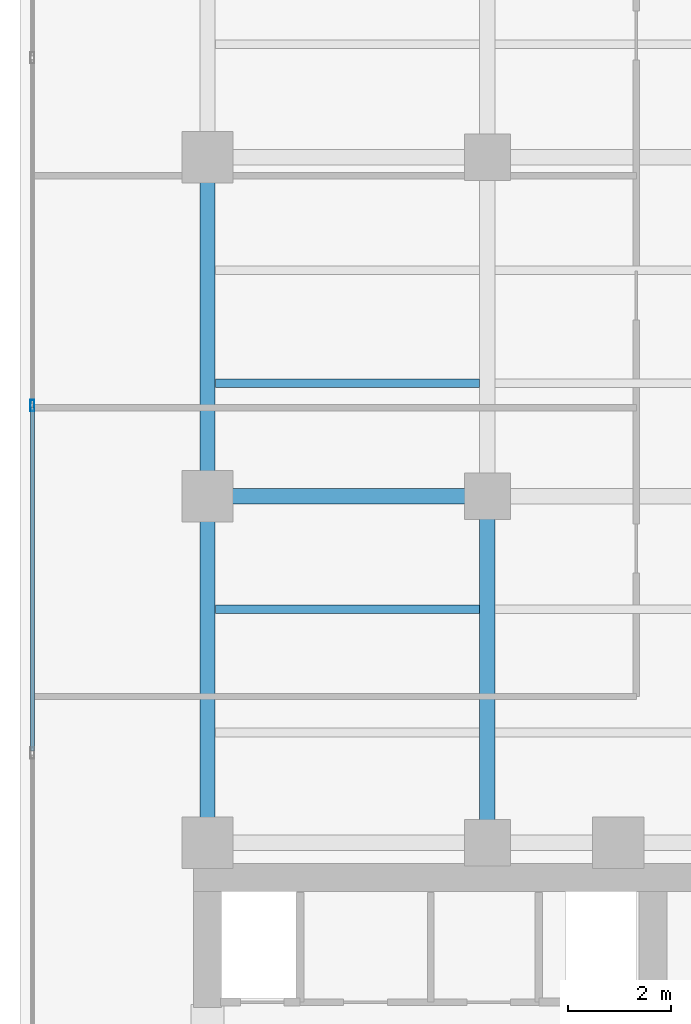
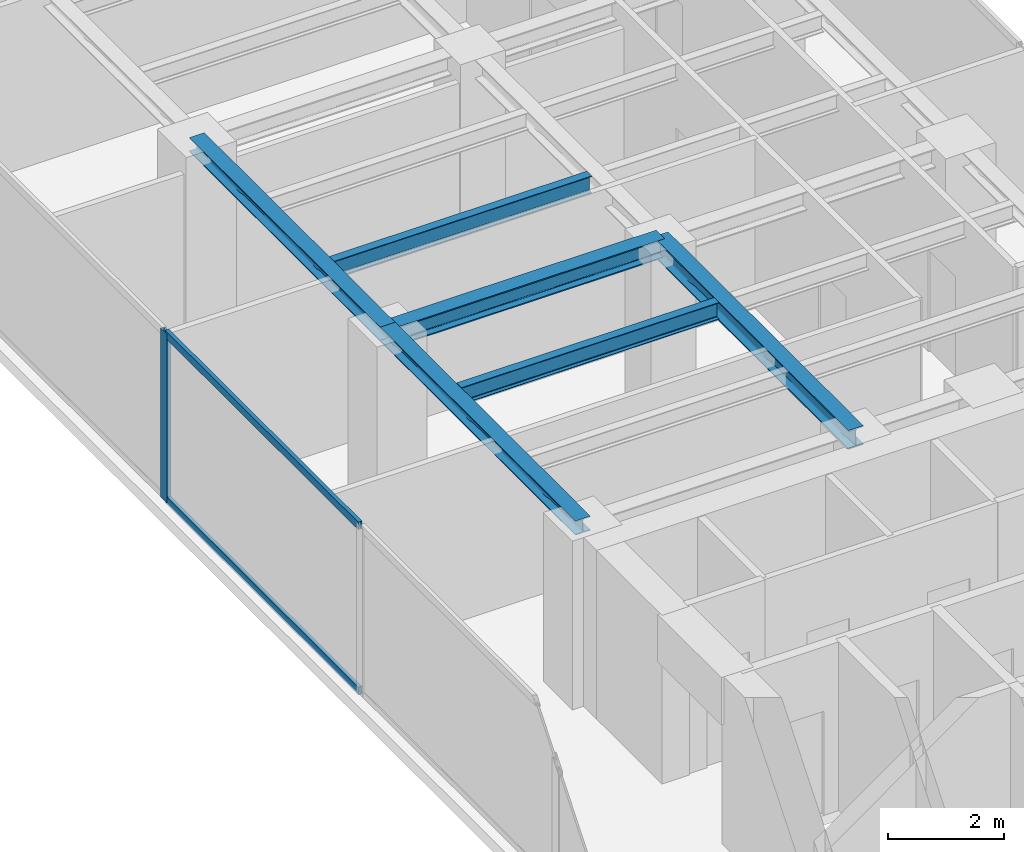
# One storey, part 7 of 23: 6 beams, 3 members, 1 element without a shape of its own.
"""IFC4 building model written with IfcOpenShell, lengths in metres."""

from ifc_helpers import new_model, si_unit, direction, frame, origin, origin_with_axes, origin_2d, place, context, subcontext, project, spatial, hollow_rectangle, i_section, extrude, source, transform, mapped, material, layer, layer_set, material_profile, profile_set, type_object, element, aggregate, save


model = new_model("IFC4")

# Units and contexts
model_context = context("Model", 3, precision=1e-05, world=origin(), true_north=direction((0.0, 1.0)))
body_context = subcontext(model_context, "Body", "Model", "MODEL_VIEW")
ifc_project = project(units=[si_unit("LENGTHUNIT", "METRE"), si_unit("AREAUNIT", "SQUARE_METRE"), si_unit("VOLUMEUNIT", "CUBIC_METRE"), si_unit("PLANEANGLEUNIT", "RADIAN"), si_unit("MASSUNIT", "GRAM", prefix="KILO")], contexts=[model_context])

# Site, building, storey
site_placement = place(None, origin())
site = spatial("IfcSite", under=ifc_project, at=site_placement, CompositionType="ELEMENT")
building_placement = place(site_placement, origin())
building = spatial("IfcBuilding", under=site, at=building_placement, Name="Kolvaren Waterfront Exchange", CompositionType="ELEMENT")
storey_placement = place(building_placement, frame((0.0, 0.0, 227.300048828125)))
storey = spatial("IfcBuildingStorey", under=building, at=storey_placement, Name="L58", CompositionType="ELEMENT", Elevation=227.300048828125)

# Beams
ifc_material_1 = material(Name="Steel S355", Category="steel")
ifc_material_profile_1 = material_profile(ifc_material_1, i_section(OverallWidth=0.300048828125, OverallDepth=0.300048828125, WebThickness=0.010986328125, FlangeThickness=0.01904296875, FilletRadius=0.027099609375, at=origin_2d()), Name="HEB300")
ifc_profile_set_1 = profile_set([ifc_material_profile_1], Name="Steel S355")
beam_type_1 = type_object("IfcBeamType", Name="STR-BM-HEB300", PredefinedType="SPANDREL", material=ifc_profile_set_1)
beam_1_placement = place(storey_placement, frame((7.449951171875, 24.449951171875, 3.409912109375), z_axis=(0.0, 1.0, 0.0), x_axis=(-1.0, 0.0, 0.0)))
element("IfcBeam", 1, at=beam_1_placement, inside=storey, type_object=beam_type_1, Name="L58 north-arm edge beam 1", PredefinedType="SPANDREL", context=body_context, shape_type="SweptSolid", body=[
    extrude(i_section(OverallWidth=0.300048828125, OverallDepth=0.300048828125, WebThickness=0.010986328125, FlangeThickness=0.01904296875, FilletRadius=0.027099609375, at=origin_2d()), origin(), (0.0, 0.0, 1.0), 6.75),
])
beam_2_placement = place(storey_placement, frame((7.449951171875, 31.199951171875, 3.409912109375), z_axis=(0.0, 1.0, 0.0), x_axis=(-1.0, 0.0, 0.0)))
element("IfcBeam", 2, at=beam_2_placement, inside=storey, type_object=beam_type_1, Name="L58 north-arm edge beam 2", PredefinedType="SPANDREL", context=body_context, shape_type="SweptSolid", body=[
    extrude(i_section(OverallWidth=0.300048828125, OverallDepth=0.300048828125, WebThickness=0.010986328125, FlangeThickness=0.01904296875, FilletRadius=0.027099609375, at=origin_2d()), origin(), (0.0, 0.0, 1.0), 6.60009765625),
])
ifc_material_profile_2 = material_profile(ifc_material_1, i_section(OverallWidth=0.300048828125, OverallDepth=0.39990234375, WebThickness=0.013427734375, FlangeThickness=0.02392578125, FilletRadius=0.027099609375, at=origin_2d()), Name="HEB400")
ifc_profile_set_2 = profile_set([ifc_material_profile_2], Name="Steel S355")
beam_type_2 = type_object("IfcBeamType", Name="STR-BM-HEB400", PredefinedType="BEAM", material=ifc_profile_set_2)
beam_3_placement = place(storey_placement, frame((7.449951171875, 31.199951171875, 3.35986328125), z_axis=(1.0, 0.0, 0.0), x_axis=(0.0, 1.0, 0.0)))
element("IfcBeam", 3, at=beam_3_placement, inside=storey, type_object=beam_type_2, Name="L58 north-arm girder 2A", PredefinedType="BEAM", context=body_context, shape_type="SweptSolid", body=[
    extrude(i_section(OverallWidth=0.300048828125, OverallDepth=0.39990234375, WebThickness=0.013427734375, FlangeThickness=0.02392578125, FilletRadius=0.027099609375, at=origin_2d()), origin(), (0.0, 0.0, 1.0), 5.449951171875),
])
beam_4_placement = place(storey_placement, frame((12.89990234375, 24.449951171875, 3.35986328125), z_axis=(0.0, 1.0, 0.0), x_axis=(-1.0, 0.0, 0.0)))
element("IfcBeam", 4, at=beam_4_placement, inside=storey, type_object=beam_type_2, Name="L58 north-arm edge beam 1", PredefinedType="BEAM", context=body_context, shape_type="SweptSolid", body=[
    extrude(i_section(OverallWidth=0.300048828125, OverallDepth=0.39990234375, WebThickness=0.013427734375, FlangeThickness=0.02392578125, FilletRadius=0.027099609375, at=origin_2d()), origin(), (0.0, 0.0, 1.0), 6.75),
])
ifc_material_profile_3 = material_profile(ifc_material_1, i_section(OverallWidth=0.169921875, OverallDepth=0.360107421875, WebThickness=0.008056640625, FlangeThickness=0.0126953125, FilletRadius=0.01806640625, at=origin_2d()), Name="IPE360")
ifc_profile_set_3 = profile_set([ifc_material_profile_3], Name="Steel S355")
beam_type_3 = type_object("IfcBeamType", Name="STR-BM-IPE360", PredefinedType="JOIST", material=ifc_profile_set_3)
for number, where, z_axis, x_axis, name in (
    (5, (7.60205078125, 29.0, 3.3798828125), (1.0, 0.0, 0.0), (0.0, 1.0, 0.0), "L58 north-arm composite joist 2A"),
    (6, (7.60205078125, 33.39990234375, 3.3798828125), (1.0, 0.0, 0.0), (0.0, 1.0, 0.0), "L58 north-arm composite joist 3A"),
):
    element("IfcBeam", number, at=place(storey_placement, frame(where, z_axis=z_axis, x_axis=x_axis)), inside=storey, type_object=beam_type_3, Name=name, PredefinedType="JOIST", context=body_context, shape_type="SweptSolid", body=[
        extrude(i_section(OverallWidth=0.169921875, OverallDepth=0.360107421875, WebThickness=0.008056640625, FlangeThickness=0.0126953125, FilletRadius=0.01806640625, at=origin_2d()), origin(), (0.0, 0.0, 1.0), 5.14599609375),
    ])

# Curtain wall, members
ifc_material_2 = material(Name="Anodised aluminium 6063-T6", Category="aluminium")
ifc_layer = layer(ifc_material_2, 0.219970703125, Name="Anodised aluminium 6063-T6")
ifc_layer_set = layer_set([ifc_layer], Name="Anodised aluminium 6063-T6")
curtain_wall_type = type_object("IfcCurtainWallType", Name="ARC-CW-SYS2", PredefinedType="USERDEFINED", material=ifc_layer_set)
curtain_wall_placement = place(storey_placement, origin())
curtain_wall = element("IfcCurtainWall", 7, at=curtain_wall_placement, inside=storey, type_object=curtain_wall_type, Name="L58 stick curtain wall CW2 (CW-L58-W)", ObjectType="STICK CURTAIN WALL", PredefinedType="USERDEFINED")
ifc_material_profile_4 = material_profile(ifc_material_2, hollow_rectangle(XDim=0.080078125, YDim=0.219970703125, WallThickness=0.0048828125, at=origin_2d()), Name="ALU-MUL-220x80x5")
ifc_profile_set_4 = profile_set([ifc_material_profile_4], Name="Anodised aluminium 6063-T6")
member_type_1 = type_object("IfcMemberType", Name="ARC-CWM-220", PredefinedType="MULLION", material=ifc_profile_set_4)
shared_shape_1 = source(origin_with_axes(), body_context, "Body", "SweptSolid", [
    extrude(hollow_rectangle(XDim=0.080078125, YDim=0.219970703125, WallThickness=0.0048828125, at=origin_2d()), origin(), (0.0, 0.0, 1.0), 3.56005859375),
])
member_1_placement = place(storey_placement, frame((4.0400390625, 32.966552734375, 0.0), z_axis=(0.0, 0.0, 1.0), x_axis=(-1.0, 0.0, 0.0)))
member_1 = element("IfcMember", 8, at=member_1_placement, type_object=member_type_1, Name="CW2 mullion 5", PredefinedType="MULLION", context=body_context, shape_type="MappedRepresentation", body=[
    mapped(shared_shape_1, transform((0.0, 0.0, 0.0), x_axis=(1.0, 0.0, 0.0), y_axis=(0.0, 1.0, 0.0), z_axis=(0.0, 0.0, 1.0), scale=1.0)),
])
ifc_material_profile_5 = material_profile(ifc_material_2, hollow_rectangle(XDim=0.074951171875, YDim=0.159912109375, WallThickness=0.00439453125, at=origin_2d()), Name="ALU-TRN-160x75x4.5")
ifc_profile_set_5 = profile_set([ifc_material_profile_5], Name="Anodised aluminium 6063-T6")
member_type_2 = type_object("IfcMemberType", Name="ARC-CWT-160", PredefinedType="USERDEFINED", material=ifc_profile_set_5)
shared_shape_2 = source(origin_with_axes(), body_context, "Body", "SweptSolid", [
    extrude(hollow_rectangle(XDim=0.074951171875, YDim=0.159912109375, WallThickness=0.00439453125, at=origin_2d()), origin(), (0.0, 0.0, 1.0), 6.686767578125),
])
member_2_placement = place(storey_placement, frame((4.0400390625, 26.239990234375, 0.037353515625), z_axis=(0.0, 1.0, 0.0), x_axis=(-1.0, 0.0, 0.0)))
member_2 = element("IfcMember", 9, at=member_2_placement, type_object=member_type_2, Name="CW2 transom 4.1", ObjectType="TRANSOM", PredefinedType="USERDEFINED", context=body_context, shape_type="MappedRepresentation", body=[
    mapped(shared_shape_2, transform((0.0, 0.0, 0.0), x_axis=(1.0, 0.0, 0.0), y_axis=(0.0, 1.0, 0.0), z_axis=(0.0, 0.0, 1.0), scale=1.0)),
])
member_3_placement = place(storey_placement, frame((4.0400390625, 26.239990234375, 3.5224609375), z_axis=(0.0, 1.0, 0.0), x_axis=(-1.0, 0.0, 0.0)))
member_3 = element("IfcMember", 10, at=member_3_placement, type_object=member_type_2, Name="CW2 transom 4.2", ObjectType="TRANSOM", PredefinedType="USERDEFINED", context=body_context, shape_type="MappedRepresentation", body=[
    mapped(shared_shape_2, transform((0.0, 0.0, 0.0), x_axis=(1.0, 0.0, 0.0), y_axis=(0.0, 1.0, 0.0), z_axis=(0.0, 0.0, 1.0), scale=1.0)),
])
aggregate(curtain_wall, [member_1, member_2, member_3])

save(model, "model.ifc")
